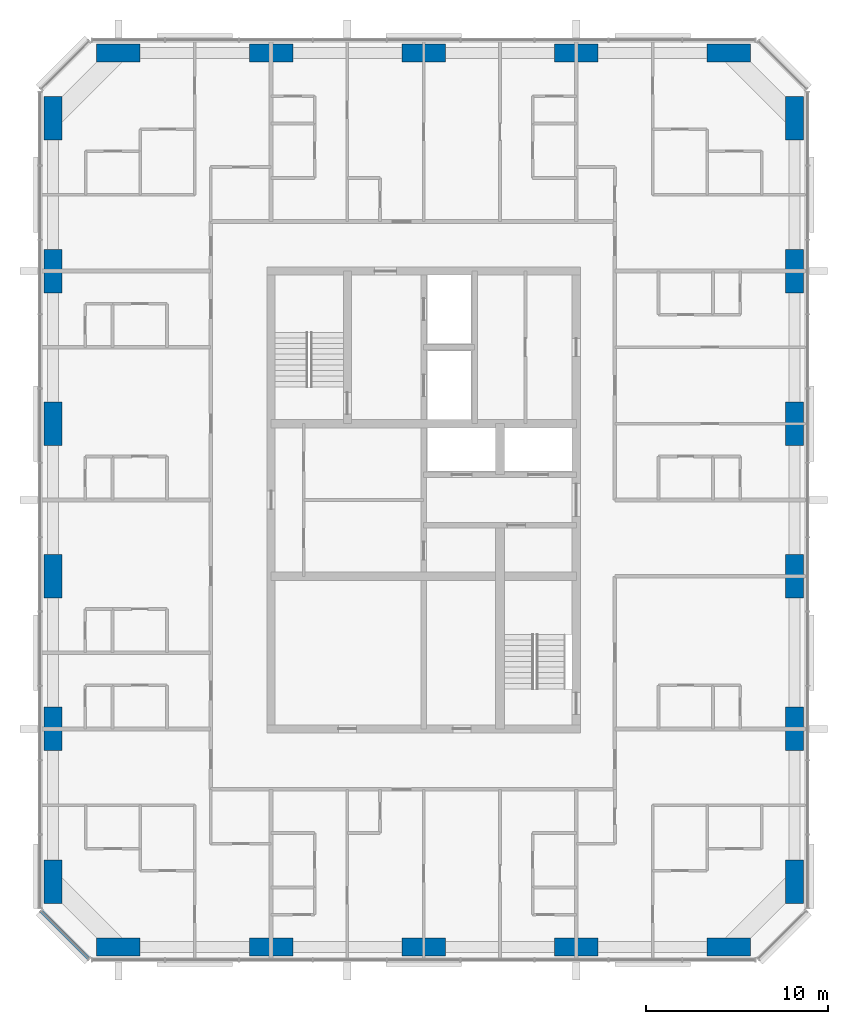
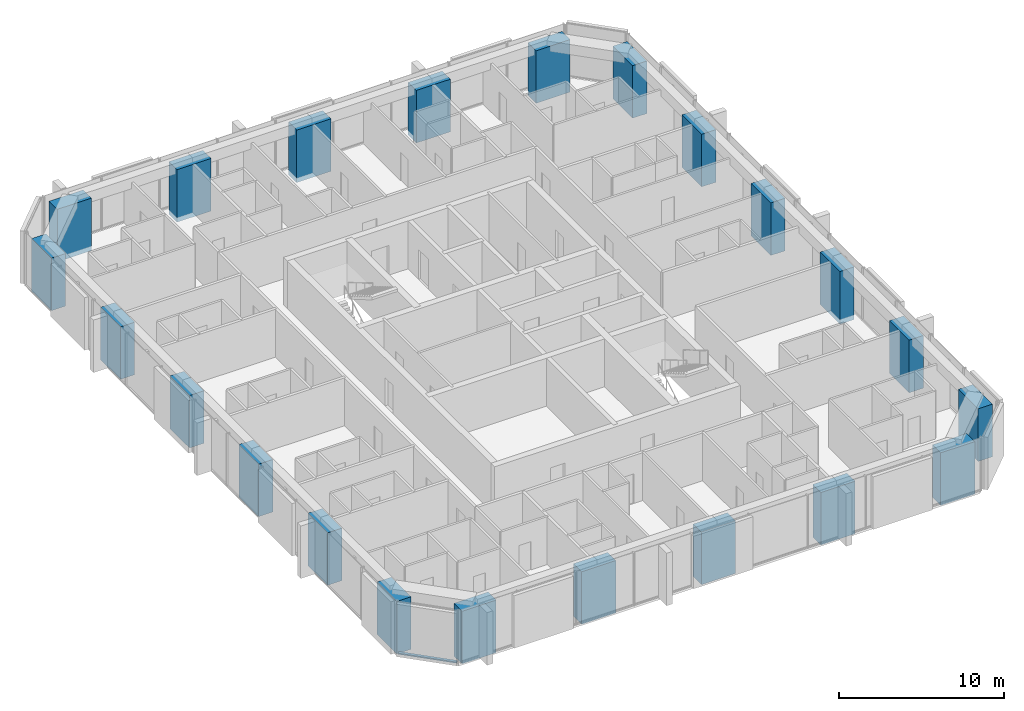
# One storey, part 1 of 13: 22 columns, 1 member, 1 element without a shape of its own.
"""IFC4 building model written with IfcOpenShell, lengths in metres."""

from ifc_helpers import new_model, si_unit, direction, frame, origin, origin_2d, place, context, subcontext, project, spatial, rectangle, extrude, material, material_profile, profile_set, type_object, element, aggregate, save


model = new_model("IFC4")

# Units and contexts
model_context = context("Model", 3, precision=1e-05, world=origin(), true_north=direction((0.0, 1.0)))
body_context = subcontext(model_context, "Body", "Model", "MODEL_VIEW")
ifc_project = project(units=[si_unit("LENGTHUNIT", "METRE"), si_unit("AREAUNIT", "SQUARE_METRE"), si_unit("VOLUMEUNIT", "CUBIC_METRE"), si_unit("PLANEANGLEUNIT", "RADIAN"), si_unit("MASSUNIT", "GRAM", prefix="KILO")], contexts=[model_context])

# Site, building, storey
site_placement = place(None, origin())
site = spatial("IfcSite", under=ifc_project, at=site_placement, CompositionType="ELEMENT")
building_placement = place(site_placement, origin())
building = spatial("IfcBuilding", under=site, at=building_placement, Name="Dunama Terrace Hotel", CompositionType="ELEMENT")
storey_placement = place(building_placement, frame((0.0, 0.0, 280.199951171875)))
storey = spatial("IfcBuildingStorey", under=building, at=storey_placement, Name="L72", CompositionType="ELEMENT", Elevation=280.199951171875)

# Columns
ifc_material_1 = material(Name="Concrete C50/60", Category="concrete")
ifc_material_profile_1 = material_profile(ifc_material_1, rectangle(XDim=1.0, YDim=2.39990234375, at=origin_2d()), Name="RC 1000x2400")
ifc_profile_set_1 = profile_set([ifc_material_profile_1], Name="Concrete C50/60")
column_type_1 = type_object("IfcColumnType", Name="Column RC 1000x2400", PredefinedType="COLUMN", material=ifc_profile_set_1)
for number, where, z_axis, x_axis, name in (
    (1, (13.199951171875, 8.39990234375, -0.349853515625), (0.0, 0.0, 1.0), (1.0, 0.0, 0.0), "Column L72 +13.2/+8.4"),
    (2, (13.199951171875, 16.800048828125, -0.349853515625), (0.0, 0.0, 1.0), (1.0, 0.0, 0.0), "Column L72 +13.2/+16.8"),
    (3, (13.199951171875, 25.199951171875, -0.349853515625), (0.0, 0.0, 1.0), (1.0, 0.0, 0.0), "Column L72 +13.2/+25.2"),
    (4, (13.199951171875, 33.60009765625, -0.349853515625), (0.0, 0.0, 1.0), (1.0, 0.0, 0.0), "Column L72 +13.2/+33.6"),
    (5, (13.199951171875, 42.0, -0.349853515625), (0.0, 0.0, 1.0), (1.0, 0.0, 0.0), "Column L72 +13.2/+42.0"),
    (6, (13.199951171875, 50.39990234375, -0.349853515625), (0.0, 0.0, 1.0), (1.0, 0.0, 0.0), "Column L72 +13.2/+50.4"),
    (7, (54.0, 8.39990234375, -0.349853515625), (0.0, 0.0, 1.0), (1.0, 0.0, 0.0), "Column L72 +54.0/+8.4"),
    (8, (54.0, 16.800048828125, -0.349853515625), (0.0, 0.0, 1.0), (1.0, 0.0, 0.0), "Column L72 +54.0/+16.8"),
    (9, (54.0, 25.199951171875, -0.349853515625), (0.0, 0.0, 1.0), (1.0, 0.0, 0.0), "Column L72 +54.0/+25.2"),
    (10, (54.0, 33.60009765625, -0.349853515625), (0.0, 0.0, 1.0), (1.0, 0.0, 0.0), "Column L72 +54.0/+33.6"),
    (11, (54.0, 42.0, -0.349853515625), (0.0, 0.0, 1.0), (1.0, 0.0, 0.0), "Column L72 +54.0/+42.0"),
    (12, (54.0, 50.39990234375, -0.349853515625), (0.0, 0.0, 1.0), (1.0, 0.0, 0.0), "Column L72 +54.0/+50.4"),
):
    element("IfcColumn", number, at=place(storey_placement, frame(where, z_axis=z_axis, x_axis=x_axis)), inside=storey, type_object=column_type_1, Name=name, PredefinedType="COLUMN", context=body_context, shape_type="SweptSolid", body=[
        extrude(rectangle(XDim=1.0, YDim=2.39990234375, at=origin_2d()), origin(), (0.0, 0.0, 1.0), 3.89990234375),
    ])
ifc_material_2 = material(Name="Concrete C50/60", Category="concrete")
ifc_material_profile_2 = material_profile(ifc_material_2, rectangle(XDim=2.39990234375, YDim=1.0, at=origin_2d()), Name="RC 2400x1000")
ifc_profile_set_2 = profile_set([ifc_material_profile_2], Name="Concrete C50/60")
column_type_2 = type_object("IfcColumnType", Name="Column RC 2400x1000", PredefinedType="COLUMN", material=ifc_profile_set_2)
for number, where, z_axis, x_axis, name in (
    (13, (16.800048828125, 4.800048828125, -0.349853515625), (0.0, 0.0, 1.0), (1.0, 0.0, 0.0), "Column L72 +16.8/+4.8"),
    (14, (16.800048828125, 54.0, -0.349853515625), (0.0, 0.0, 1.0), (1.0, 0.0, 0.0), "Column L72 +16.8/+54.0"),
    (15, (25.199951171875, 4.800048828125, -0.349853515625), (0.0, 0.0, 1.0), (1.0, 0.0, 0.0), "Column L72 +25.2/+4.8"),
    (16, (25.199951171875, 54.0, -0.349853515625), (0.0, 0.0, 1.0), (1.0, 0.0, 0.0), "Column L72 +25.2/+54.0"),
    (17, (33.60009765625, 4.800048828125, -0.349853515625), (0.0, 0.0, 1.0), (1.0, 0.0, 0.0), "Column L72 +33.6/+4.8"),
    (18, (33.60009765625, 54.0, -0.349853515625), (0.0, 0.0, 1.0), (1.0, 0.0, 0.0), "Column L72 +33.6/+54.0"),
    (19, (42.0, 4.800048828125, -0.349853515625), (0.0, 0.0, 1.0), (1.0, 0.0, 0.0), "Column L72 +42.0/+4.8"),
    (20, (42.0, 54.0, -0.349853515625), (0.0, 0.0, 1.0), (1.0, 0.0, 0.0), "Column L72 +42.0/+54.0"),
    (21, (50.39990234375, 4.800048828125, -0.349853515625), (0.0, 0.0, 1.0), (1.0, 0.0, 0.0), "Column L72 +50.4/+4.8"),
    (22, (50.39990234375, 54.0, -0.349853515625), (0.0, 0.0, 1.0), (1.0, 0.0, 0.0), "Column L72 +50.4/+54.0"),
):
    element("IfcColumn", number, at=place(storey_placement, frame(where, z_axis=z_axis, x_axis=x_axis)), inside=storey, type_object=column_type_2, Name=name, PredefinedType="COLUMN", context=body_context, shape_type="SweptSolid", body=[
        extrude(rectangle(XDim=2.39990234375, YDim=1.0, at=origin_2d()), origin(), (0.0, 0.0, 1.0), 3.89990234375),
    ])

# Curtain wall, member
ifc_material_3 = material(Name="Aluminium curtain wall system", Category="aluminium")
curtain_wall_type = type_object("IfcCurtainWallType", Name="Unitised fritted glass wall CW-D", PredefinedType="NOTDEFINED", material=ifc_material_3)
curtain_wall_placement = place(storey_placement, origin())
curtain_wall = element("IfcCurtainWall", 23, at=curtain_wall_placement, inside=storey, type_object=curtain_wall_type, Name="Unitised fritted glass wall CW-D L72", PredefinedType="NOTDEFINED")
ifc_material_4 = material(Name="Aluminium transom", Category="aluminium")
ifc_material_profile_3 = material_profile(ifc_material_4, rectangle(XDim=0.199951171875, YDim=0.0849609375, at=origin_2d()), Name="CWD TRANSOM 200X85")
ifc_profile_set_3 = profile_set([ifc_material_profile_3], Name="Aluminium transom")
member_type = type_object("IfcMemberType", Name="CWD transom 200x85", PredefinedType="USERDEFINED", material=ifc_profile_set_3)
member_placement = place(storey_placement, frame((12.56494140625, 6.76611328125, 0.04248046875), z_axis=(0.707106781187, -0.707106781187, 0.0), x_axis=(0.707106781187, 0.707106781187, 0.0)))
member = element("IfcMember", 24, at=member_placement, type_object=member_type, Name="CWD transom", ObjectType="TRANSOM", PredefinedType="USERDEFINED", context=body_context, shape_type="SweptSolid", body=[
    extrude(rectangle(XDim=0.199951171875, YDim=0.0849609375, at=origin_2d()), origin(), (0.0, 0.0, 1.0), 3.678466796875),
])
aggregate(curtain_wall, [member])

save(model, "model.ifc")
